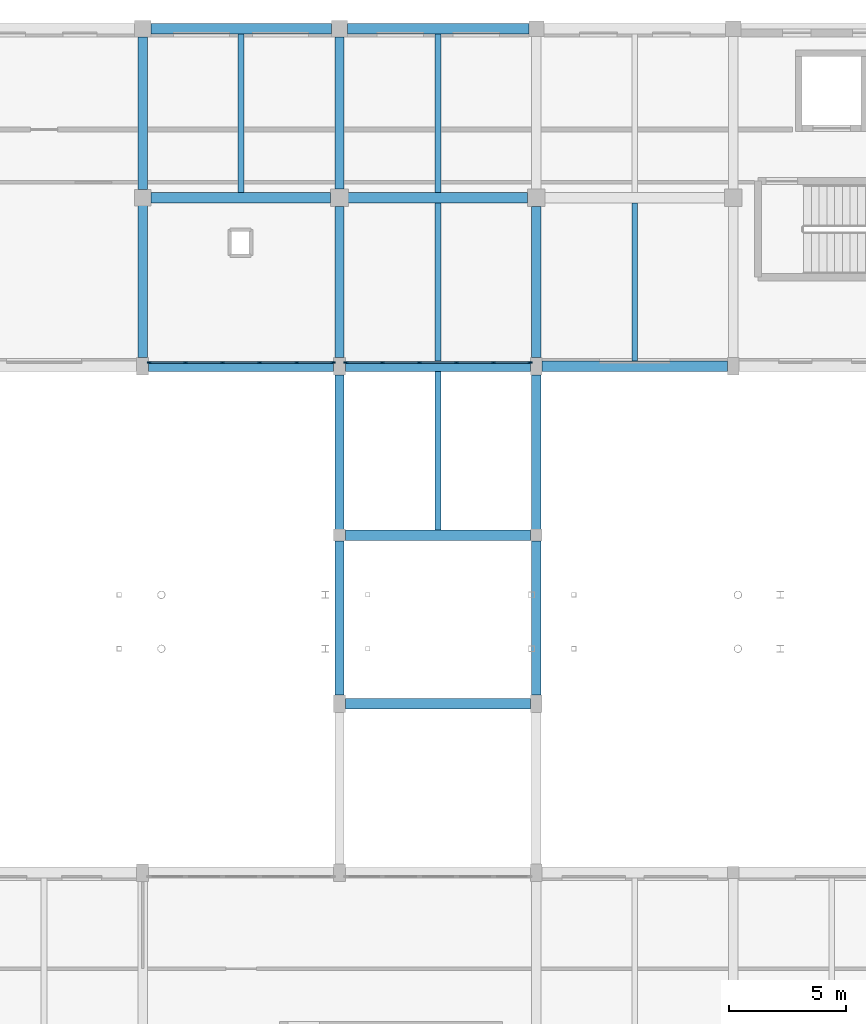
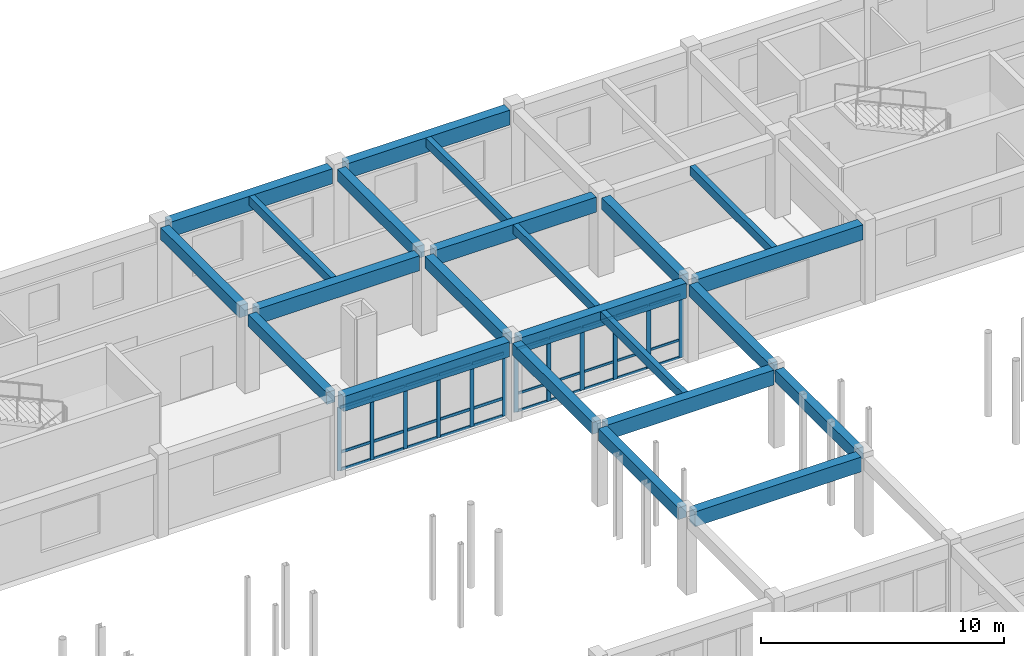
# One storey, part 50 of 90: 42 members, 23 beams, 2 elements without a shape of their own.
"""IFC4 building model written with IfcOpenShell, lengths in metres."""

import ifcopenshell
import ifcopenshell.guid

model = None  # the IFC model being written
_history = None  # IfcOwnerHistory: only IFC2X3 demands one
_inside = {}  # id of a spatial element -> (the spatial element, [elements in it])
_under = {}  # id of a project, library or spatial element -> (it, [spatial elements below it])
_declared = {}  # id of a project -> (the project, [libraries it declares])
_typed = {}  # id of a type object -> (the type object, [elements of that type])
_made_of = {}  # id of a material, layer set ... -> (it, [elements and type objects made of it])


def new_model(schema):
    """Start an empty IFC model of exactly this schema.

    Asked for "IFC4X3", IfcOpenShell would pick the latest addendum, in which some entities
    have other attributes; the version numbers below select the first issue.
    IFC2X3 requires an IfcOwnerHistory on every rooted entity: one is made here for all.
    """
    global model, _history
    if schema == "IFC4X3":
        model = ifcopenshell.file(schema_version=(4, 3, 0, 0))
    else:
        model = ifcopenshell.file(schema=schema)
    _inside.clear()
    _under.clear()
    _declared.clear()
    _typed.clear()
    _made_of.clear()
    _history = None
    if model.schema == "IFC2X3":
        org = make("IfcOrganization", Name="unknown")
        user = make(
            "IfcPersonAndOrganization",
            ThePerson=make("IfcPerson", FamilyName="unknown"),
            TheOrganization=org,
        )
        app = make(
            "IfcApplication",
            ApplicationDeveloper=org,
            Version="unknown",
            ApplicationFullName="unknown",
            ApplicationIdentifier="unknown",
        )
        _history = make(
            "IfcOwnerHistory",
            OwningUser=user,
            OwningApplication=app,
            ChangeAction="ADDED",
            CreationDate=0,
        )
    return model


def make(cls, **values):
    """One entity of the class cls with the attributes given. An attribute that is None is left unset."""
    return model.create_entity(
        cls, **{name: value for name, value in values.items() if value is not None}
    )


def rooted(cls, **values):
    """An entity with a GlobalId (a new one), such as an element, a storey or a relation."""
    return make(cls, GlobalId=ifcopenshell.guid.new(), OwnerHistory=_history, **values)


def si_unit(unit_type, name, prefix=None):
    """IfcSIUnit, for example si_unit("LENGTHUNIT", "METRE", prefix="MILLI")."""
    return make("IfcSIUnit", UnitType=unit_type, Prefix=prefix, Name=name)


def assignment(units):
    """IfcUnitAssignment: the units of a project."""
    return None if units is None else make("IfcUnitAssignment", Units=units)


def point(xyz):
    """IfcCartesianPoint."""
    return None if xyz is None else make("IfcCartesianPoint", Coordinates=xyz)


def direction(xyz):
    """IfcDirection."""
    return None if xyz is None else make("IfcDirection", DirectionRatios=xyz)


def frame(location, z_axis=None, x_axis=None):
    """IfcAxis2Placement3D, a coordinate frame: its origin and axes. An axis left out is left unset."""
    return make(
        "IfcAxis2Placement3D",
        Location=point(location),
        Axis=direction(z_axis),
        RefDirection=direction(x_axis),
    )


def frame_2d(location, x_axis=None):
    """IfcAxis2Placement2D, a coordinate frame in the plane: its origin and x axis."""
    return make(
        "IfcAxis2Placement2D", Location=point(location), RefDirection=direction(x_axis)
    )


def origin():
    """The frame at (0, 0, 0) with its axes left unset."""
    return frame((0.0, 0.0, 0.0))


def origin_2d():
    """The frame at (0, 0) in the plane with its x axis left unset."""
    return frame_2d((0.0, 0.0))


def place(relative_to, where):
    """IfcLocalPlacement: puts the frame where relative to a parent placement (None: the world)."""
    return make(
        "IfcLocalPlacement", PlacementRelTo=relative_to, RelativePlacement=where
    )


def context(
    kind, dimensions, precision=None, world=None, true_north=None, identifier=None
):
    """IfcGeometricRepresentationContext, for example the 3D "Model" context."""
    return make(
        "IfcGeometricRepresentationContext",
        ContextIdentifier=identifier,
        ContextType=kind,
        CoordinateSpaceDimension=dimensions,
        Precision=precision,
        WorldCoordinateSystem=world,
        TrueNorth=true_north,
    )


def subcontext(parent, identifier, kind, view, scale=None):
    """IfcGeometricRepresentationSubContext, for example "Body" below "Model"."""
    return make(
        "IfcGeometricRepresentationSubContext",
        ContextIdentifier=identifier,
        ContextType=kind,
        ParentContext=parent,
        TargetScale=scale,
        TargetView=view,
    )


def project(units=None, contexts=None):
    """IfcProject with its units and contexts."""
    return rooted(
        "IfcProject",
        Name="project",
        RepresentationContexts=contexts,
        UnitsInContext=assignment(units),
    )


def spatial(cls, under=None, at=None, **own):
    """A site, building, storey or space (cls), placed at a placement, below another one or the project."""
    s = rooted(cls, ObjectPlacement=at, **own)
    if under is not None:
        _under.setdefault(under.id(), (under, []))[1].append(s)
    return s


def profile(cls, at=None, kind="AREA", **sizes):
    """A parametric profile (cls). Its sizes go by their IFC names, for example OverallWidth=200.0."""
    return make(cls, ProfileType=kind, Position=at, **sizes)


def rectangle(**sizes):
    """IfcRectangleProfileDef."""
    return profile("IfcRectangleProfileDef", **sizes)


def extrude(swept, where, along, depth):
    """IfcExtrudedAreaSolid: the profile swept, set in the frame where, extruded along a direction by depth."""
    return make(
        "IfcExtrudedAreaSolid",
        SweptArea=swept,
        Position=where,
        ExtrudedDirection=direction(along),
        Depth=depth,
    )


def shape(context_of_items, identifier, shape_type, items):
    """IfcShapeRepresentation: the items that make up one representation, for example the "Body"."""
    return make(
        "IfcShapeRepresentation",
        ContextOfItems=context_of_items,
        RepresentationIdentifier=identifier,
        RepresentationType=shape_type,
        Items=items,
    )


def material(Name=None, Category=None):
    """IfcMaterial."""
    return make("IfcMaterial", Name=Name, Category=Category)


def material_profile(
    of_material, cross_section, Name=None, Category=None, Priority=None
):
    """IfcMaterialProfile: a cross section and its material."""
    return make(
        "IfcMaterialProfile",
        Name=Name,
        Material=of_material,
        Profile=cross_section,
        Priority=Priority,
        Category=Category,
    )


def profile_set(profiles, Name=None, composite=None):
    """IfcMaterialProfileSet."""
    return make(
        "IfcMaterialProfileSet",
        Name=Name,
        MaterialProfiles=profiles,
        CompositeProfile=composite,
    )


def made_of(thing, what):
    """Note that an element or type object is made of a material, layer set ...; save() writes the relation."""
    if what is not None:
        _made_of.setdefault(what.id(), (what, []))[1].append(thing)
    return thing


def type_object(cls, material=None, **own):
    """A type object (cls), such as IfcWallType, which elements share."""
    return made_of(rooted(cls, **own), material)


def element(
    cls,
    number,
    at=None,
    inside=None,
    cuts=None,
    type_object=None,
    material=None,
    context=None,
    identifier="Body",
    shape_type=None,
    held_by="IfcProductDefinitionShape",
    body=None,
    shapes=None,
    **own,
):
    """One element of the class cls, such as IfcWall. Its Tag is "e" and its number.

    at: its placement. inside: the storey or other place that contains it. cuts: it is an
    opening in that element (IfcRelVoidsElement). A single representation is given by context,
    identifier, shape_type and body (its items); several are given by shapes. held_by: the class
    of the entity that holds the representations. save() writes the other relations.
    """
    e = rooted(cls, Tag="e%d" % number, ObjectPlacement=at, **own)
    if body is not None:
        shapes = [shape(context, identifier, shape_type, body)]
    if shapes is not None:
        e.Representation = make(held_by, Representations=shapes)
    if inside is not None:
        _inside.setdefault(inside.id(), (inside, []))[1].append(e)
    if cuts is not None:
        rooted(
            "IfcRelVoidsElement", RelatingBuildingElement=cuts, RelatedOpeningElement=e
        )
    if type_object is not None:
        _typed.setdefault(type_object.id(), (type_object, []))[1].append(e)
    return made_of(e, material)


def aggregate(whole, parts):
    """IfcRelAggregates: a whole, such as a stair, and the parts it consists of."""
    return rooted("IfcRelAggregates", RelatingObject=whole, RelatedObjects=parts)


def save(model, path):
    """Write the relations noted so far, then the file.

    IfcRelAggregates (storeys below a building ...), IfcRelContainedInSpatialStructure (elements
    in a storey), IfcRelDefinesByType, IfcRelAssociatesMaterial and IfcRelDeclares: one each for
    every whole, place, type object, material and project.
    """
    for whole, parts in _under.values():
        aggregate(whole, parts)
    for where, things in _inside.values():
        rooted(
            "IfcRelContainedInSpatialStructure",
            RelatedElements=things,
            RelatingStructure=where,
        )
    for kind, things in _typed.values():
        rooted("IfcRelDefinesByType", RelatedObjects=things, RelatingType=kind)
    for what, things in _made_of.values():
        rooted("IfcRelAssociatesMaterial", RelatedObjects=things, RelatingMaterial=what)
    for by, libraries in _declared.values():
        rooted("IfcRelDeclares", RelatingContext=by, RelatedDefinitions=libraries)
    model.write(path)


model = new_model("IFC4")

# Units and contexts
model_context = context("Model", 3, precision=1e-05, world=origin(), true_north=direction((0.0, 1.0)))
body_context = subcontext(model_context, "Body", "Model", "MODEL_VIEW")
ifc_project = project(units=[si_unit("LENGTHUNIT", "METRE"), si_unit("AREAUNIT", "SQUARE_METRE"), si_unit("VOLUMEUNIT", "CUBIC_METRE"), si_unit("PLANEANGLEUNIT", "RADIAN"), si_unit("MASSUNIT", "GRAM", prefix="KILO")], contexts=[model_context])

# Site, building, storey
site_placement = place(None, origin())
site = spatial("IfcSite", under=ifc_project, at=site_placement, CompositionType="ELEMENT")
building_placement = place(site_placement, origin())
building = spatial("IfcBuilding", under=site, at=building_placement, Name="Malvenik Polytechnic", CompositionType="ELEMENT")
storey_placement = place(building_placement, frame((0.0, 0.0, 9.300048828125)))
storey = spatial("IfcBuildingStorey", under=building, at=storey_placement, Name="L02", CompositionType="ELEMENT", Elevation=9.300048828125)

# Curtain wall, members
ifc_material_1 = material(Name="Anodised aluminium 6060-T6", Category="aluminium")
curtain_wall_type = type_object("IfcCurtainWallType", Name="ARC-CW-CW-03", PredefinedType="NOTDEFINED", material=ifc_material_1)
curtain_wall_1_placement = place(storey_placement, origin())
curtain_wall_1 = element("IfcCurtainWall", 1, at=curtain_wall_1_placement, inside=storey, type_object=curtain_wall_type, Name="Unitised Curtain Wall CW-03 L02 #160", PredefinedType="NOTDEFINED")
ifc_material_2 = material(Name="Anodised aluminium", Category="aluminium")
ifc_material_profile_1 = material_profile(ifc_material_2, rectangle(XDim=0.06005859375, YDim=0.179931640625, at=origin_2d()), Name="ALU MULLION 60x180")
ifc_profile_set_1 = profile_set([ifc_material_profile_1], Name="Anodised aluminium")
member_type_1 = type_object("IfcMemberType", Name="ARC-CWM-180", PredefinedType="MULLION", material=ifc_profile_set_1)
member_1_placement = place(storey_placement, frame((75.322021484375, 115.3701171875, 0.0), z_axis=(0.0, 0.0, 1.0), x_axis=(0.0, -1.0, 0.0)))
member_1 = element("IfcMember", 2, at=member_1_placement, type_object=member_type_1, Name="CW-03 mullion 1", PredefinedType="MULLION", context=body_context, shape_type="SweptSolid", body=[
    extrude(rectangle(XDim=0.06005859375, YDim=0.179931640625, at=origin_2d()), origin(), (0.0, 0.0, 1.0), 3.179931640625),
])
member_2_placement = place(storey_placement, frame((73.771240234375, 115.3701171875, 0.0), z_axis=(0.0, 0.0, 1.0), x_axis=(0.0, -1.0, 0.0)))
member_2 = element("IfcMember", 3, at=member_2_placement, type_object=member_type_1, Name="CW-03 mullion 2", PredefinedType="MULLION", context=body_context, shape_type="SweptSolid", body=[
    extrude(rectangle(XDim=0.06005859375, YDim=0.179931640625, at=origin_2d()), origin(), (0.0, 0.0, 1.0), 3.179931640625),
])
member_3_placement = place(storey_placement, frame((72.1904296875, 115.3701171875, 0.0), z_axis=(0.0, 0.0, 1.0), x_axis=(0.0, -1.0, 0.0)))
member_3 = element("IfcMember", 4, at=member_3_placement, type_object=member_type_1, Name="CW-03 mullion 3", PredefinedType="MULLION", context=body_context, shape_type="SweptSolid", body=[
    extrude(rectangle(XDim=0.06005859375, YDim=0.179931640625, at=origin_2d()), origin(), (0.0, 0.0, 1.0), 3.179931640625),
])
member_4_placement = place(storey_placement, frame((70.609619140625, 115.3701171875, 0.0), z_axis=(0.0, 0.0, 1.0), x_axis=(0.0, -1.0, 0.0)))
member_4 = element("IfcMember", 5, at=member_4_placement, type_object=member_type_1, Name="CW-03 mullion 4", PredefinedType="MULLION", context=body_context, shape_type="SweptSolid", body=[
    extrude(rectangle(XDim=0.06005859375, YDim=0.179931640625, at=origin_2d()), origin(), (0.0, 0.0, 1.0), 3.179931640625),
])
member_5_placement = place(storey_placement, frame((69.02880859375, 115.3701171875, 0.0), z_axis=(0.0, 0.0, 1.0), x_axis=(0.0, -1.0, 0.0)))
member_5 = element("IfcMember", 6, at=member_5_placement, type_object=member_type_1, Name="CW-03 mullion 5", PredefinedType="MULLION", context=body_context, shape_type="SweptSolid", body=[
    extrude(rectangle(XDim=0.06005859375, YDim=0.179931640625, at=origin_2d()), origin(), (0.0, 0.0, 1.0), 3.179931640625),
])
member_6_placement = place(storey_placement, frame((67.47802734375, 115.3701171875, 0.0), z_axis=(0.0, 0.0, 1.0), x_axis=(0.0, -1.0, 0.0)))
member_6 = element("IfcMember", 7, at=member_6_placement, type_object=member_type_1, Name="CW-03 mullion 6", PredefinedType="MULLION", context=body_context, shape_type="SweptSolid", body=[
    extrude(rectangle(XDim=0.06005859375, YDim=0.179931640625, at=origin_2d()), origin(), (0.0, 0.0, 1.0), 3.179931640625),
])

curtain_wall_2_placement = place(storey_placement, origin())
curtain_wall_2 = element("IfcCurtainWall", 8, at=curtain_wall_2_placement, inside=storey, type_object=curtain_wall_type, Name="Unitised Curtain Wall CW-03 L02 #159", PredefinedType="NOTDEFINED")
ifc_material_profile_2 = material_profile(ifc_material_2, rectangle(XDim=0.06005859375, YDim=0.199951171875, at=origin_2d()), Name="ALU MULLION 60x200")
ifc_profile_set_2 = profile_set([ifc_material_profile_2], Name="Anodised aluminium")
member_type_2 = type_object("IfcMemberType", Name="ARC-CWM-200", PredefinedType="MULLION", material=ifc_profile_set_2)
member_7_placement = place(storey_placement, frame((83.721923828125, 115.3701171875, 0.0), z_axis=(0.0, 0.0, 1.0), x_axis=(0.0, -1.0, 0.0)))
member_7 = element("IfcMember", 9, at=member_7_placement, type_object=member_type_2, Name="CW-03 mullion 1", PredefinedType="MULLION", context=body_context, shape_type="SweptSolid", body=[
    extrude(rectangle(XDim=0.06005859375, YDim=0.199951171875, at=origin_2d()), origin(), (0.0, 0.0, 1.0), 3.179931640625),
])
member_8_placement = place(storey_placement, frame((82.171142578125, 115.3701171875, 0.0), z_axis=(0.0, 0.0, 1.0), x_axis=(0.0, -1.0, 0.0)))
member_8 = element("IfcMember", 10, at=member_8_placement, type_object=member_type_2, Name="CW-03 mullion 2", PredefinedType="MULLION", context=body_context, shape_type="SweptSolid", body=[
    extrude(rectangle(XDim=0.06005859375, YDim=0.199951171875, at=origin_2d()), origin(), (0.0, 0.0, 1.0), 3.179931640625),
])
member_9_placement = place(storey_placement, frame((80.59033203125, 115.3701171875, 0.0), z_axis=(0.0, 0.0, 1.0), x_axis=(0.0, -1.0, 0.0)))
member_9 = element("IfcMember", 11, at=member_9_placement, type_object=member_type_2, Name="CW-03 mullion 3", PredefinedType="MULLION", context=body_context, shape_type="SweptSolid", body=[
    extrude(rectangle(XDim=0.06005859375, YDim=0.199951171875, at=origin_2d()), origin(), (0.0, 0.0, 1.0), 3.179931640625),
])
member_10_placement = place(storey_placement, frame((79.009521484375, 115.3701171875, 0.0), z_axis=(0.0, 0.0, 1.0), x_axis=(0.0, -1.0, 0.0)))
member_10 = element("IfcMember", 12, at=member_10_placement, type_object=member_type_2, Name="CW-03 mullion 4", PredefinedType="MULLION", context=body_context, shape_type="SweptSolid", body=[
    extrude(rectangle(XDim=0.06005859375, YDim=0.199951171875, at=origin_2d()), origin(), (0.0, 0.0, 1.0), 3.179931640625),
])
member_11_placement = place(storey_placement, frame((77.4287109375, 115.3701171875, 0.0), z_axis=(0.0, 0.0, 1.0), x_axis=(0.0, -1.0, 0.0)))
member_11 = element("IfcMember", 13, at=member_11_placement, type_object=member_type_2, Name="CW-03 mullion 5", PredefinedType="MULLION", context=body_context, shape_type="SweptSolid", body=[
    extrude(rectangle(XDim=0.06005859375, YDim=0.199951171875, at=origin_2d()), origin(), (0.0, 0.0, 1.0), 3.179931640625),
])
member_12_placement = place(storey_placement, frame((75.8779296875, 115.3701171875, 0.0), z_axis=(0.0, 0.0, 1.0), x_axis=(0.0, -1.0, 0.0)))
member_12 = element("IfcMember", 14, at=member_12_placement, type_object=member_type_2, Name="CW-03 mullion 6", PredefinedType="MULLION", context=body_context, shape_type="SweptSolid", body=[
    extrude(rectangle(XDim=0.06005859375, YDim=0.199951171875, at=origin_2d()), origin(), (0.0, 0.0, 1.0), 3.179931640625),
])
ifc_material_profile_3 = material_profile(ifc_material_2, rectangle(XDim=0.06005859375, YDim=0.1201171875, at=origin_2d()), Name="ALU TRANSOM 60x120")
ifc_profile_set_3 = profile_set([ifc_material_profile_3], Name="Anodised aluminium")
member_type_3 = type_object("IfcMemberType", Name="ARC-CWT-120", PredefinedType="USERDEFINED", material=ifc_profile_set_3)
member_13_placement = place(storey_placement, frame((83.69189453125, 115.3701171875, 0.030029296875), z_axis=(-1.0, 0.0, 0.0), x_axis=(0.0, -1.0, 0.0)))
member_13 = element("IfcMember", 15, at=member_13_placement, type_object=member_type_3, Name="CW-03 transom 1.1", ObjectType="TRANSOM", PredefinedType="USERDEFINED", context=body_context, shape_type="SweptSolid", body=[
    extrude(rectangle(XDim=0.06005859375, YDim=0.1201171875, at=origin_2d()), origin(), (0.0, 0.0, 1.0), 1.49072265625),
])
member_14_placement = place(storey_placement, frame((83.69189453125, 115.3701171875, 0.89990234375), z_axis=(-1.0, 0.0, 0.0), x_axis=(0.0, -1.0, 0.0)))
member_14 = element("IfcMember", 16, at=member_14_placement, type_object=member_type_3, Name="CW-03 transom 1.2", ObjectType="TRANSOM", PredefinedType="USERDEFINED", context=body_context, shape_type="SweptSolid", body=[
    extrude(rectangle(XDim=0.06005859375, YDim=0.1201171875, at=origin_2d()), origin(), (0.0, 0.0, 1.0), 1.49072265625),
])
member_15_placement = place(storey_placement, frame((83.69189453125, 115.3701171875, 3.14990234375), z_axis=(-1.0, 0.0, 0.0), x_axis=(0.0, -1.0, 0.0)))
member_15 = element("IfcMember", 17, at=member_15_placement, type_object=member_type_3, Name="CW-03 transom 1.3", ObjectType="TRANSOM", PredefinedType="USERDEFINED", context=body_context, shape_type="SweptSolid", body=[
    extrude(rectangle(XDim=0.06005859375, YDim=0.1201171875, at=origin_2d()), origin(), (0.0, 0.0, 1.0), 1.49072265625),
])
member_16_placement = place(storey_placement, frame((82.14111328125, 115.3701171875, 0.030029296875), z_axis=(-1.0, 0.0, 0.0), x_axis=(0.0, -1.0, 0.0)))
member_16 = element("IfcMember", 18, at=member_16_placement, type_object=member_type_3, Name="CW-03 transom 2.1", ObjectType="TRANSOM", PredefinedType="USERDEFINED", context=body_context, shape_type="SweptSolid", body=[
    extrude(rectangle(XDim=0.06005859375, YDim=0.1201171875, at=origin_2d()), origin(), (0.0, 0.0, 1.0), 1.520751953125),
])
member_17_placement = place(storey_placement, frame((82.14111328125, 115.3701171875, 0.89990234375), z_axis=(-1.0, 0.0, 0.0), x_axis=(0.0, -1.0, 0.0)))
member_17 = element("IfcMember", 19, at=member_17_placement, type_object=member_type_3, Name="CW-03 transom 2.2", ObjectType="TRANSOM", PredefinedType="USERDEFINED", context=body_context, shape_type="SweptSolid", body=[
    extrude(rectangle(XDim=0.06005859375, YDim=0.1201171875, at=origin_2d()), origin(), (0.0, 0.0, 1.0), 1.520751953125),
])
member_18_placement = place(storey_placement, frame((82.14111328125, 115.3701171875, 3.14990234375), z_axis=(-1.0, 0.0, 0.0), x_axis=(0.0, -1.0, 0.0)))
member_18 = element("IfcMember", 20, at=member_18_placement, type_object=member_type_3, Name="CW-03 transom 2.3", ObjectType="TRANSOM", PredefinedType="USERDEFINED", context=body_context, shape_type="SweptSolid", body=[
    extrude(rectangle(XDim=0.06005859375, YDim=0.1201171875, at=origin_2d()), origin(), (0.0, 0.0, 1.0), 1.520751953125),
])
member_19_placement = place(storey_placement, frame((80.560302734375, 115.3701171875, 0.030029296875), z_axis=(-1.0, 0.0, 0.0), x_axis=(0.0, -1.0, 0.0)))
member_19 = element("IfcMember", 21, at=member_19_placement, type_object=member_type_3, Name="CW-03 transom 3.1", ObjectType="TRANSOM", PredefinedType="USERDEFINED", context=body_context, shape_type="SweptSolid", body=[
    extrude(rectangle(XDim=0.06005859375, YDim=0.1201171875, at=origin_2d()), origin(), (0.0, 0.0, 1.0), 1.520751953125),
])
member_20_placement = place(storey_placement, frame((80.560302734375, 115.3701171875, 0.89990234375), z_axis=(-1.0, 0.0, 0.0), x_axis=(0.0, -1.0, 0.0)))
member_20 = element("IfcMember", 22, at=member_20_placement, type_object=member_type_3, Name="CW-03 transom 3.2", ObjectType="TRANSOM", PredefinedType="USERDEFINED", context=body_context, shape_type="SweptSolid", body=[
    extrude(rectangle(XDim=0.06005859375, YDim=0.1201171875, at=origin_2d()), origin(), (0.0, 0.0, 1.0), 1.520751953125),
])
member_21_placement = place(storey_placement, frame((80.560302734375, 115.3701171875, 3.14990234375), z_axis=(-1.0, 0.0, 0.0), x_axis=(0.0, -1.0, 0.0)))
member_21 = element("IfcMember", 23, at=member_21_placement, type_object=member_type_3, Name="CW-03 transom 3.3", ObjectType="TRANSOM", PredefinedType="USERDEFINED", context=body_context, shape_type="SweptSolid", body=[
    extrude(rectangle(XDim=0.06005859375, YDim=0.1201171875, at=origin_2d()), origin(), (0.0, 0.0, 1.0), 1.520751953125),
])
member_22_placement = place(storey_placement, frame((78.9794921875, 115.3701171875, 0.030029296875), z_axis=(-1.0, 0.0, 0.0), x_axis=(0.0, -1.0, 0.0)))
member_22 = element("IfcMember", 24, at=member_22_placement, type_object=member_type_3, Name="CW-03 transom 4.1", ObjectType="TRANSOM", PredefinedType="USERDEFINED", context=body_context, shape_type="SweptSolid", body=[
    extrude(rectangle(XDim=0.06005859375, YDim=0.1201171875, at=origin_2d()), origin(), (0.0, 0.0, 1.0), 1.520751953125),
])
member_23_placement = place(storey_placement, frame((78.9794921875, 115.3701171875, 0.89990234375), z_axis=(-1.0, 0.0, 0.0), x_axis=(0.0, -1.0, 0.0)))
member_23 = element("IfcMember", 25, at=member_23_placement, type_object=member_type_3, Name="CW-03 transom 4.2", ObjectType="TRANSOM", PredefinedType="USERDEFINED", context=body_context, shape_type="SweptSolid", body=[
    extrude(rectangle(XDim=0.06005859375, YDim=0.1201171875, at=origin_2d()), origin(), (0.0, 0.0, 1.0), 1.520751953125),
])
member_24_placement = place(storey_placement, frame((78.9794921875, 115.3701171875, 3.14990234375), z_axis=(-1.0, 0.0, 0.0), x_axis=(0.0, -1.0, 0.0)))
member_24 = element("IfcMember", 26, at=member_24_placement, type_object=member_type_3, Name="CW-03 transom 4.3", ObjectType="TRANSOM", PredefinedType="USERDEFINED", context=body_context, shape_type="SweptSolid", body=[
    extrude(rectangle(XDim=0.06005859375, YDim=0.1201171875, at=origin_2d()), origin(), (0.0, 0.0, 1.0), 1.520751953125),
])
member_25_placement = place(storey_placement, frame((77.398681640625, 115.3701171875, 0.030029296875), z_axis=(-1.0, 0.0, 0.0), x_axis=(0.0, -1.0, 0.0)))
member_25 = element("IfcMember", 27, at=member_25_placement, type_object=member_type_3, Name="CW-03 transom 5.1", ObjectType="TRANSOM", PredefinedType="USERDEFINED", context=body_context, shape_type="SweptSolid", body=[
    extrude(rectangle(XDim=0.06005859375, YDim=0.1201171875, at=origin_2d()), origin(), (0.0, 0.0, 1.0), 1.49072265625),
])
member_26_placement = place(storey_placement, frame((77.398681640625, 115.3701171875, 0.89990234375), z_axis=(-1.0, 0.0, 0.0), x_axis=(0.0, -1.0, 0.0)))
member_26 = element("IfcMember", 28, at=member_26_placement, type_object=member_type_3, Name="CW-03 transom 5.2", ObjectType="TRANSOM", PredefinedType="USERDEFINED", context=body_context, shape_type="SweptSolid", body=[
    extrude(rectangle(XDim=0.06005859375, YDim=0.1201171875, at=origin_2d()), origin(), (0.0, 0.0, 1.0), 1.49072265625),
])
member_27_placement = place(storey_placement, frame((77.398681640625, 115.3701171875, 3.14990234375), z_axis=(-1.0, 0.0, 0.0), x_axis=(0.0, -1.0, 0.0)))
member_27 = element("IfcMember", 29, at=member_27_placement, type_object=member_type_3, Name="CW-03 transom 5.3", ObjectType="TRANSOM", PredefinedType="USERDEFINED", context=body_context, shape_type="SweptSolid", body=[
    extrude(rectangle(XDim=0.06005859375, YDim=0.1201171875, at=origin_2d()), origin(), (0.0, 0.0, 1.0), 1.49072265625),
])
aggregate(curtain_wall_2, [member_7, member_8, member_9, member_10, member_11, member_12, member_13, member_14, member_15, member_16, member_17, member_18, member_19, member_20, member_21, member_22, member_23, member_24, member_25, member_26, member_27])

# Member
ifc_material_profile_4 = material_profile(ifc_material_2, rectangle(XDim=0.06005859375, YDim=0.139892578125, at=origin_2d()), Name="ALU TRANSOM 60x140")
ifc_profile_set_4 = profile_set([ifc_material_profile_4], Name="Anodised aluminium")
member_type_4 = type_object("IfcMemberType", Name="ARC-CWT-140", PredefinedType="USERDEFINED", material=ifc_profile_set_4)
member_28_placement = place(storey_placement, frame((75.2919921875, 115.3701171875, 0.030029296875), z_axis=(-1.0, 0.0, 0.0), x_axis=(0.0, -1.0, 0.0)))
member_28 = element("IfcMember", 30, at=member_28_placement, type_object=member_type_4, Name="CW-03 transom 1.1", ObjectType="TRANSOM", PredefinedType="USERDEFINED", context=body_context, shape_type="SweptSolid", body=[
    extrude(rectangle(XDim=0.06005859375, YDim=0.139892578125, at=origin_2d()), origin(), (0.0, 0.0, 1.0), 1.49072265625),
])

member_29_placement = place(storey_placement, frame((75.2919921875, 115.3701171875, 0.89990234375), z_axis=(-1.0, 0.0, 0.0), x_axis=(0.0, -1.0, 0.0)))
member_29 = element("IfcMember", 31, at=member_29_placement, type_object=member_type_4, Name="CW-03 transom 1.2", ObjectType="TRANSOM", PredefinedType="USERDEFINED", context=body_context, shape_type="SweptSolid", body=[
    extrude(rectangle(XDim=0.06005859375, YDim=0.139892578125, at=origin_2d()), origin(), (0.0, 0.0, 1.0), 1.49072265625),
])

member_30_placement = place(storey_placement, frame((75.2919921875, 115.3701171875, 3.14990234375), z_axis=(-1.0, 0.0, 0.0), x_axis=(0.0, -1.0, 0.0)))
member_30 = element("IfcMember", 32, at=member_30_placement, type_object=member_type_4, Name="CW-03 transom 1.3", ObjectType="TRANSOM", PredefinedType="USERDEFINED", context=body_context, shape_type="SweptSolid", body=[
    extrude(rectangle(XDim=0.06005859375, YDim=0.139892578125, at=origin_2d()), origin(), (0.0, 0.0, 1.0), 1.49072265625),
])

member_31_placement = place(storey_placement, frame((73.7412109375, 115.3701171875, 0.030029296875), z_axis=(-1.0, 0.0, 0.0), x_axis=(0.0, -1.0, 0.0)))
member_31 = element("IfcMember", 33, at=member_31_placement, type_object=member_type_4, Name="CW-03 transom 2.1", ObjectType="TRANSOM", PredefinedType="USERDEFINED", context=body_context, shape_type="SweptSolid", body=[
    extrude(rectangle(XDim=0.06005859375, YDim=0.139892578125, at=origin_2d()), origin(), (0.0, 0.0, 1.0), 1.520751953125),
])

member_32_placement = place(storey_placement, frame((73.7412109375, 115.3701171875, 0.89990234375), z_axis=(-1.0, 0.0, 0.0), x_axis=(0.0, -1.0, 0.0)))
member_32 = element("IfcMember", 34, at=member_32_placement, type_object=member_type_4, Name="CW-03 transom 2.2", ObjectType="TRANSOM", PredefinedType="USERDEFINED", context=body_context, shape_type="SweptSolid", body=[
    extrude(rectangle(XDim=0.06005859375, YDim=0.139892578125, at=origin_2d()), origin(), (0.0, 0.0, 1.0), 1.520751953125),
])

member_33_placement = place(storey_placement, frame((73.7412109375, 115.3701171875, 3.14990234375), z_axis=(-1.0, 0.0, 0.0), x_axis=(0.0, -1.0, 0.0)))
member_33 = element("IfcMember", 35, at=member_33_placement, type_object=member_type_4, Name="CW-03 transom 2.3", ObjectType="TRANSOM", PredefinedType="USERDEFINED", context=body_context, shape_type="SweptSolid", body=[
    extrude(rectangle(XDim=0.06005859375, YDim=0.139892578125, at=origin_2d()), origin(), (0.0, 0.0, 1.0), 1.520751953125),
])

member_34_placement = place(storey_placement, frame((72.160400390625, 115.3701171875, 0.030029296875), z_axis=(-1.0, 0.0, 0.0), x_axis=(0.0, -1.0, 0.0)))
member_34 = element("IfcMember", 36, at=member_34_placement, type_object=member_type_4, Name="CW-03 transom 3.1", ObjectType="TRANSOM", PredefinedType="USERDEFINED", context=body_context, shape_type="SweptSolid", body=[
    extrude(rectangle(XDim=0.06005859375, YDim=0.139892578125, at=origin_2d()), origin(), (0.0, 0.0, 1.0), 1.520751953125),
])

member_35_placement = place(storey_placement, frame((72.160400390625, 115.3701171875, 0.89990234375), z_axis=(-1.0, 0.0, 0.0), x_axis=(0.0, -1.0, 0.0)))
member_35 = element("IfcMember", 37, at=member_35_placement, type_object=member_type_4, Name="CW-03 transom 3.2", ObjectType="TRANSOM", PredefinedType="USERDEFINED", context=body_context, shape_type="SweptSolid", body=[
    extrude(rectangle(XDim=0.06005859375, YDim=0.139892578125, at=origin_2d()), origin(), (0.0, 0.0, 1.0), 1.520751953125),
])

member_36_placement = place(storey_placement, frame((72.160400390625, 115.3701171875, 3.14990234375), z_axis=(-1.0, 0.0, 0.0), x_axis=(0.0, -1.0, 0.0)))
member_36 = element("IfcMember", 38, at=member_36_placement, type_object=member_type_4, Name="CW-03 transom 3.3", ObjectType="TRANSOM", PredefinedType="USERDEFINED", context=body_context, shape_type="SweptSolid", body=[
    extrude(rectangle(XDim=0.06005859375, YDim=0.139892578125, at=origin_2d()), origin(), (0.0, 0.0, 1.0), 1.520751953125),
])

member_37_placement = place(storey_placement, frame((70.57958984375, 115.3701171875, 0.030029296875), z_axis=(-1.0, 0.0, 0.0), x_axis=(0.0, -1.0, 0.0)))
member_37 = element("IfcMember", 39, at=member_37_placement, type_object=member_type_4, Name="CW-03 transom 4.1", ObjectType="TRANSOM", PredefinedType="USERDEFINED", context=body_context, shape_type="SweptSolid", body=[
    extrude(rectangle(XDim=0.06005859375, YDim=0.139892578125, at=origin_2d()), origin(), (0.0, 0.0, 1.0), 1.520751953125),
])

member_38_placement = place(storey_placement, frame((70.57958984375, 115.3701171875, 0.89990234375), z_axis=(-1.0, 0.0, 0.0), x_axis=(0.0, -1.0, 0.0)))
member_38 = element("IfcMember", 40, at=member_38_placement, type_object=member_type_4, Name="CW-03 transom 4.2", ObjectType="TRANSOM", PredefinedType="USERDEFINED", context=body_context, shape_type="SweptSolid", body=[
    extrude(rectangle(XDim=0.06005859375, YDim=0.139892578125, at=origin_2d()), origin(), (0.0, 0.0, 1.0), 1.520751953125),
])

member_39_placement = place(storey_placement, frame((70.57958984375, 115.3701171875, 3.14990234375), z_axis=(-1.0, 0.0, 0.0), x_axis=(0.0, -1.0, 0.0)))
member_39 = element("IfcMember", 41, at=member_39_placement, type_object=member_type_4, Name="CW-03 transom 4.3", ObjectType="TRANSOM", PredefinedType="USERDEFINED", context=body_context, shape_type="SweptSolid", body=[
    extrude(rectangle(XDim=0.06005859375, YDim=0.139892578125, at=origin_2d()), origin(), (0.0, 0.0, 1.0), 1.520751953125),
])

member_40_placement = place(storey_placement, frame((68.998779296875, 115.3701171875, 0.030029296875), z_axis=(-1.0, 0.0, 0.0), x_axis=(0.0, -1.0, 0.0)))
member_40 = element("IfcMember", 42, at=member_40_placement, type_object=member_type_4, Name="CW-03 transom 5.1", ObjectType="TRANSOM", PredefinedType="USERDEFINED", context=body_context, shape_type="SweptSolid", body=[
    extrude(rectangle(XDim=0.06005859375, YDim=0.139892578125, at=origin_2d()), origin(), (0.0, 0.0, 1.0), 1.49072265625),
])

member_41_placement = place(storey_placement, frame((68.998779296875, 115.3701171875, 0.89990234375), z_axis=(-1.0, 0.0, 0.0), x_axis=(0.0, -1.0, 0.0)))
member_41 = element("IfcMember", 43, at=member_41_placement, type_object=member_type_4, Name="CW-03 transom 5.2", ObjectType="TRANSOM", PredefinedType="USERDEFINED", context=body_context, shape_type="SweptSolid", body=[
    extrude(rectangle(XDim=0.06005859375, YDim=0.139892578125, at=origin_2d()), origin(), (0.0, 0.0, 1.0), 1.49072265625),
])

member_42_placement = place(storey_placement, frame((68.998779296875, 115.3701171875, 3.14990234375), z_axis=(-1.0, 0.0, 0.0), x_axis=(0.0, -1.0, 0.0)))
member_42 = element("IfcMember", 44, at=member_42_placement, type_object=member_type_4, Name="CW-03 transom 5.3", ObjectType="TRANSOM", PredefinedType="USERDEFINED", context=body_context, shape_type="SweptSolid", body=[
    extrude(rectangle(XDim=0.06005859375, YDim=0.139892578125, at=origin_2d()), origin(), (0.0, 0.0, 1.0), 1.49072265625),
])

aggregate(curtain_wall_1, [member_1, member_2, member_3, member_4, member_5, member_6, member_28, member_29, member_30, member_31, member_32, member_33, member_34, member_35, member_36, member_37, member_38, member_39, member_40, member_41, member_42])

# Beams
ifc_material_3 = material(Name="Concrete C35/45", Category="concrete")
ifc_material_profile_5 = material_profile(ifc_material_3, rectangle(XDim=0.449951171875, YDim=0.75, at=origin_2d()), Name="RC BM 450x750")
ifc_profile_set_5 = profile_set([ifc_material_profile_5], Name="Concrete C35/45")
beam_type_1 = type_object("IfcBeamType", Name="STR-BM-B-03", PredefinedType="BEAM", material=ifc_profile_set_5)
for number, where, z_axis, x_axis, name in (
    (45, (75.847900390625, 100.800048828125, 3.56494140625), (1.0, 0.0, 0.0), (0.0, 1.0, 0.0), "Primary Beam B-03 L02 #1419"),
    (46, (75.847900390625, 108.0, 3.56494140625), (1.0, 0.0, 0.0), (0.0, 1.0, 0.0), "Primary Beam B-03 L02 #1420"),
    (47, (75.847900390625, 115.199951171875, 3.56494140625), (1.0, 0.0, 0.0), (0.0, 1.0, 0.0), "Primary Beam B-03 L02 #1430"),
):
    element("IfcBeam", number, at=place(storey_placement, frame(where, z_axis=z_axis, x_axis=x_axis)), inside=storey, type_object=beam_type_1, Name=name, PredefinedType="BEAM", context=body_context, shape_type="SweptSolid", body=[
        extrude(rectangle(XDim=0.449951171875, YDim=0.75, at=origin_2d()), origin(), (0.0, 0.0, 1.0), 7.904052734375),
    ])
beam_1_placement = place(storey_placement, frame((67.548095703125, 122.39990234375, 3.56494140625), z_axis=(1.0, 0.0, 0.0), x_axis=(0.0, 1.0, 0.0)))
element("IfcBeam", 48, at=beam_1_placement, inside=storey, type_object=beam_type_1, Name="Primary Beam B-03 L02 #1441", PredefinedType="BEAM", context=body_context, shape_type="SweptSolid", body=[
    extrude(rectangle(XDim=0.449951171875, YDim=0.75, at=origin_2d()), origin(), (0.0, 0.0, 1.0), 7.678955078125),
])
beam_2_placement = place(storey_placement, frame((75.972900390625, 122.39990234375, 3.56494140625), z_axis=(1.0, 0.0, 0.0), x_axis=(0.0, 1.0, 0.0)))
element("IfcBeam", 49, at=beam_2_placement, inside=storey, type_object=beam_type_1, Name="Primary Beam B-03 L02 #1442", PredefinedType="BEAM", context=body_context, shape_type="SweptSolid", body=[
    extrude(rectangle(XDim=0.449951171875, YDim=0.75, at=origin_2d()), origin(), (0.0, 0.0, 1.0), 7.654052734375),
])
ifc_material_profile_6 = material_profile(ifc_material_3, rectangle(XDim=0.39990234375, YDim=0.60009765625, at=origin_2d()), Name="RC BM 400x600")
ifc_profile_set_6 = profile_set([ifc_material_profile_6], Name="Concrete C35/45")
beam_type_2 = type_object("IfcBeamType", Name="STR-BM-B-06", PredefinedType="BEAM", material=ifc_profile_set_6)
beam_3_placement = place(storey_placement, frame((67.199951171875, 115.572998046875, 3.639892578125), z_axis=(0.0, 1.0, 0.0), x_axis=(-1.0, 0.0, 0.0)))
element("IfcBeam", 50, at=beam_3_placement, inside=storey, type_object=beam_type_2, Name="Transverse Beam B-06 L02 #1505", PredefinedType="BEAM", context=body_context, shape_type="SweptSolid", body=[
    extrude(rectangle(XDim=0.39990234375, YDim=0.60009765625, at=origin_2d()), origin(), (0.0, 0.0, 1.0), 6.47900390625),
])
beam_4_placement = place(storey_placement, frame((67.199951171875, 122.748046875, 3.639892578125), z_axis=(0.0, 1.0, 0.0), x_axis=(-1.0, 0.0, 0.0)))
element("IfcBeam", 51, at=beam_4_placement, inside=storey, type_object=beam_type_2, Name="Transverse Beam B-06 L02 #1506", PredefinedType="BEAM", context=body_context, shape_type="SweptSolid", body=[
    extrude(rectangle(XDim=0.39990234375, YDim=0.60009765625, at=origin_2d()), origin(), (0.0, 0.0, 1.0), 6.50390625),
])
for number, where, z_axis, x_axis, name in (
    (52, (75.60009765625, 101.173095703125, 3.639892578125), (0.0, 1.0, 0.0), (-1.0, 0.0, 0.0), "Transverse Beam B-06 L02 #1512"),
    (53, (75.60009765625, 108.248046875, 3.639892578125), (0.0, 1.0, 0.0), (-1.0, 0.0, 0.0), "Transverse Beam B-06 L02 #1513"),
):
    element("IfcBeam", number, at=place(storey_placement, frame(where, z_axis=z_axis, x_axis=x_axis)), inside=storey, type_object=beam_type_2, Name=name, PredefinedType="BEAM", context=body_context, shape_type="SweptSolid", body=[
        extrude(rectangle(XDim=0.39990234375, YDim=0.60009765625, at=origin_2d()), origin(), (0.0, 0.0, 1.0), 6.578857421875),
    ])
beam_5_placement = place(storey_placement, frame((75.60009765625, 115.572998046875, 3.639892578125), z_axis=(0.0, 1.0, 0.0), x_axis=(-1.0, 0.0, 0.0)))
element("IfcBeam", 54, at=beam_5_placement, inside=storey, type_object=beam_type_2, Name="Transverse Beam B-06 L02 #1514", PredefinedType="BEAM", context=body_context, shape_type="SweptSolid", body=[
    extrude(rectangle(XDim=0.39990234375, YDim=0.60009765625, at=origin_2d()), origin(), (0.0, 0.0, 1.0), 6.4541015625),
])
beam_6_placement = place(storey_placement, frame((75.60009765625, 122.77294921875, 3.639892578125), z_axis=(0.0, 1.0, 0.0), x_axis=(-1.0, 0.0, 0.0)))
element("IfcBeam", 55, at=beam_6_placement, inside=storey, type_object=beam_type_2, Name="Transverse Beam B-06 L02 #1515", PredefinedType="BEAM", context=body_context, shape_type="SweptSolid", body=[
    extrude(rectangle(XDim=0.39990234375, YDim=0.60009765625, at=origin_2d()), origin(), (0.0, 0.0, 1.0), 6.47900390625),
])
for number, where, z_axis, x_axis, name in (
    (56, (84.0, 101.173095703125, 3.639892578125), (0.0, 1.0, 0.0), (-1.0, 0.0, 0.0), "Transverse Beam B-06 L02 #1523"),
    (57, (84.0, 108.248046875, 3.639892578125), (0.0, 1.0, 0.0), (-1.0, 0.0, 0.0), "Transverse Beam B-06 L02 #1524"),
):
    element("IfcBeam", number, at=place(storey_placement, frame(where, z_axis=z_axis, x_axis=x_axis)), inside=storey, type_object=beam_type_2, Name=name, PredefinedType="BEAM", context=body_context, shape_type="SweptSolid", body=[
        extrude(rectangle(XDim=0.39990234375, YDim=0.60009765625, at=origin_2d()), origin(), (0.0, 0.0, 1.0), 6.578857421875),
    ])
beam_7_placement = place(storey_placement, frame((84.0, 115.572998046875, 3.639892578125), z_axis=(0.0, 1.0, 0.0), x_axis=(-1.0, 0.0, 0.0)))
element("IfcBeam", 58, at=beam_7_placement, inside=storey, type_object=beam_type_2, Name="Transverse Beam B-06 L02 #1525", PredefinedType="BEAM", context=body_context, shape_type="SweptSolid", body=[
    extrude(rectangle(XDim=0.39990234375, YDim=0.60009765625, at=origin_2d()), origin(), (0.0, 0.0, 1.0), 6.4541015625),
])
ifc_material_4 = material(Name="Concrete C30/37", Category="concrete")
ifc_material_profile_7 = material_profile(ifc_material_4, rectangle(XDim=0.25, YDim=0.449951171875, at=origin_2d()), Name="RC JST 250x450")
ifc_profile_set_7 = profile_set([ifc_material_profile_7], Name="Concrete C30/37")
beam_type_3 = type_object("IfcBeamType", Name="STR-BM-J-02", PredefinedType="JOIST", material=ifc_profile_set_7)
beam_8_placement = place(storey_placement, frame((71.39990234375, 122.623046875, 3.71484375), z_axis=(0.0, 1.0, 0.0), x_axis=(-1.0, 0.0, 0.0)))
element("IfcBeam", 59, at=beam_8_placement, inside=storey, type_object=beam_type_3, Name="Secondary Rib Joist J-02 L02 #1589", PredefinedType="JOIST", context=body_context, shape_type="SweptSolid", body=[
    extrude(rectangle(XDim=0.25, YDim=0.449951171875, at=origin_2d()), origin(), (0.0, 0.0, 1.0), 6.7490234375),
])
beam_9_placement = place(storey_placement, frame((79.800048828125, 108.222900390625, 3.71484375), z_axis=(0.0, 1.0, 0.0), x_axis=(-1.0, 0.0, 0.0)))
element("IfcBeam", 60, at=beam_9_placement, inside=storey, type_object=beam_type_3, Name="Secondary Rib Joist J-02 L02 #1594", PredefinedType="JOIST", context=body_context, shape_type="SweptSolid", body=[
    extrude(rectangle(XDim=0.25, YDim=0.449951171875, at=origin_2d()), origin(), (0.0, 0.0, 1.0), 6.754150390625),
])
beam_10_placement = place(storey_placement, frame((79.800048828125, 115.423095703125, 3.71484375), z_axis=(0.0, 1.0, 0.0), x_axis=(-1.0, 0.0, 0.0)))
element("IfcBeam", 61, at=beam_10_placement, inside=storey, type_object=beam_type_3, Name="Secondary Rib Joist J-02 L02 #1595", PredefinedType="JOIST", context=body_context, shape_type="SweptSolid", body=[
    extrude(rectangle(XDim=0.25, YDim=0.449951171875, at=origin_2d()), origin(), (0.0, 0.0, 1.0), 6.75390625),
])
for number, where, z_axis, x_axis, name in (
    (62, (79.800048828125, 122.623046875, 3.71484375), (0.0, 1.0, 0.0), (-1.0, 0.0, 0.0), "Secondary Rib Joist J-02 L02 #1596"),
    (63, (88.199951171875, 115.427978515625, 3.71484375), (0.0, 1.0, 0.0), (-1.0, 0.0, 0.0), "Secondary Rib Joist J-02 L02 #1603"),
):
    element("IfcBeam", number, at=place(storey_placement, frame(where, z_axis=z_axis, x_axis=x_axis)), inside=storey, type_object=beam_type_3, Name=name, PredefinedType="JOIST", context=body_context, shape_type="SweptSolid", body=[
        extrude(rectangle(XDim=0.25, YDim=0.449951171875, at=origin_2d()), origin(), (0.0, 0.0, 1.0), 6.7490234375),
    ])
ifc_material_5 = material(Name="Precast concrete C40/50", Category="concrete")
ifc_material_profile_8 = material_profile(ifc_material_5, rectangle(XDim=0.4599609375, YDim=0.75, at=origin_2d()), Name="PC SPN 460x750")
ifc_profile_set_8 = profile_set([ifc_material_profile_8], Name="Precast concrete C40/50")
beam_type_4 = type_object("IfcBeamType", Name="STR-BM-SP-02", PredefinedType="SPANDREL", material=ifc_profile_set_8)
for number, where, z_axis, x_axis, name in (
    (64, (67.447998046875, 115.199951171875, 3.56494140625), (1.0, 0.0, 0.0), (0.0, 1.0, 0.0), "Primary Beam SP-02 L02 #1429"),
    (65, (84.248046875, 115.199951171875, 3.56494140625), (1.0, 0.0, 0.0), (0.0, 1.0, 0.0), "Primary Beam SP-02 L02 #1431"),
):
    element("IfcBeam", number, at=place(storey_placement, frame(where, z_axis=z_axis, x_axis=x_axis)), inside=storey, type_object=beam_type_4, Name=name, PredefinedType="SPANDREL", context=body_context, shape_type="SweptSolid", body=[
        extrude(rectangle(XDim=0.4599609375, YDim=0.75, at=origin_2d()), origin(), (0.0, 0.0, 1.0), 7.904052734375),
    ])
beam_11_placement = place(storey_placement, frame((67.548095703125, 129.60009765625, 3.56494140625), z_axis=(1.0, 0.0, 0.0), x_axis=(0.0, 1.0, 0.0)))
element("IfcBeam", 66, at=beam_11_placement, inside=storey, type_object=beam_type_4, Name="Primary Beam SP-02 L02 #1455", PredefinedType="SPANDREL", context=body_context, shape_type="SweptSolid", body=[
    extrude(rectangle(XDim=0.4599609375, YDim=0.75, at=origin_2d()), origin(), (0.0, 0.0, 1.0), 7.703857421875),
])
beam_12_placement = place(storey_placement, frame((75.947998046875, 129.60009765625, 3.56494140625), z_axis=(1.0, 0.0, 0.0), x_axis=(0.0, 1.0, 0.0)))
element("IfcBeam", 67, at=beam_12_placement, inside=storey, type_object=beam_type_4, Name="Primary Beam SP-02 L02 #1456", PredefinedType="SPANDREL", context=body_context, shape_type="SweptSolid", body=[
    extrude(rectangle(XDim=0.4599609375, YDim=0.75, at=origin_2d()), origin(), (0.0, 0.0, 1.0), 7.72900390625),
])

save(model, "model.ifc")
